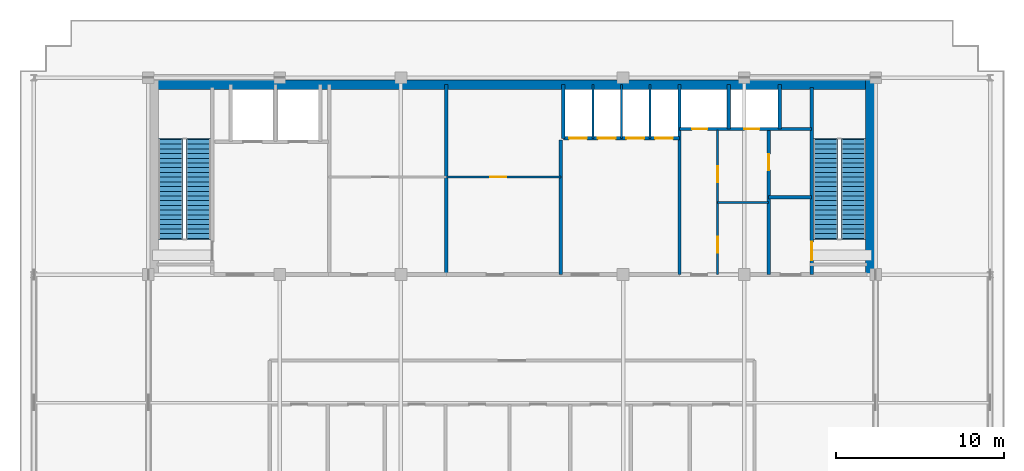
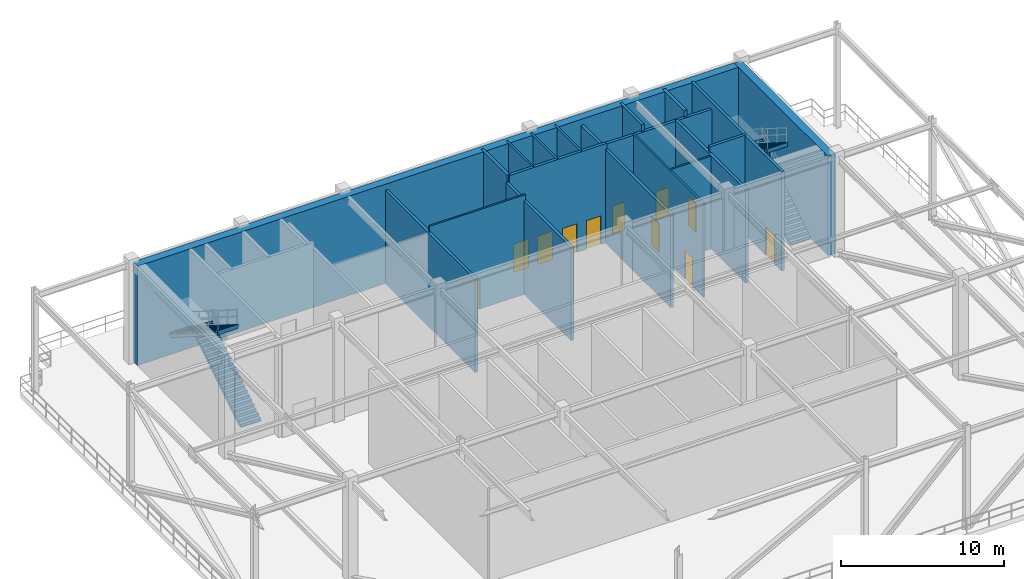
# One storey, part 11 of 15: 19 walls, 11 doors, 4 stair flights, 11 openings, 2 elements without a shape of their own.
"""IFC4 building model written with IfcOpenShell, lengths in metres."""

from ifc_helpers import new_model, si_unit, direction, frame, frame_2d, origin, place, context, subcontext, project, spatial, polyline, rectangle, outline, extrude, source, transform, mapped, material, layer, layer_set, type_object, element, fill, aggregate, save


model = new_model("IFC4")

# Units and contexts
model_context = context("Model", 3, precision=1e-05, world=origin(), true_north=direction((0.0, 1.0)))
body_context = subcontext(model_context, "Body", "Model", "MODEL_VIEW")
ifc_project = project(units=[si_unit("LENGTHUNIT", "METRE"), si_unit("AREAUNIT", "SQUARE_METRE"), si_unit("VOLUMEUNIT", "CUBIC_METRE"), si_unit("PLANEANGLEUNIT", "RADIAN"), si_unit("MASSUNIT", "GRAM", prefix="KILO")], contexts=[model_context])

# Site, building, storey
site_placement = place(None, origin())
site = spatial("IfcSite", under=ifc_project, at=site_placement, CompositionType="ELEMENT")
building_placement = place(site_placement, origin())
building = spatial("IfcBuilding", under=site, at=building_placement, Name="Trelvane Seafront Commons", CompositionType="ELEMENT")
storey_placement = place(building_placement, frame((0.0, 0.0, 240.89990234375)))
storey = spatial("IfcBuildingStorey", under=building, at=storey_placement, Name="L63", CompositionType="ELEMENT", Elevation=240.89990234375)

# Wall, opening, door
ifc_material_1 = material(Name="Concrete C40/50", Category="concrete")
ifc_layer_1 = layer(ifc_material_1, 0.199951171875, Name="ARCH-WALL-FIRE200")
ifc_layer_set_1 = layer_set([ifc_layer_1], Name="Concrete C40/50")
wall_type_1 = type_object("IfcWallType", Name="ARCH-WALL-FIRE200", PredefinedType="PARTITIONING", material=ifc_layer_set_1)
wall_1_placement = place(storey_placement, frame((52.449951171875, 33.39990234375, 0.0), z_axis=(0.0, 0.0, 1.0), x_axis=(0.0, 1.0, 0.0)))
wall_1 = element("IfcWall", 1, at=wall_1_placement, inside=storey, type_object=wall_type_1, Name="W-L63-ST2V-W-030", PredefinedType="PARTITIONING", context=body_context, shape_type="SweptSolid", body=[
    extrude(rectangle(XDim=8.650146484375, YDim=0.199951171875, at=frame_2d((4.3251953125, 0.0))), origin(), (0.0, 0.0, 1.0), 6.989990234375),
])
opening_1_placement = place(wall_1_placement, frame((6.199951171875, 0.0, 0.0)))
opening_1 = element("IfcOpeningElement", 2, at=opening_1_placement, cuts=wall_1, Name="Opening FD-L63-17", PredefinedType="OPENING", context=body_context, shape_type="SweptSolid", body=[
    extrude(rectangle(XDim=0.949951171875, YDim=2.14990234375, at=frame_2d((0.47509765625, 1.074951171875))), frame((0.0, 0.10986328125, 0.0), z_axis=(0.0, -1.0, 0.0), x_axis=(1.0, 0.0, 0.0)), (0.0, 0.0, 1.0), 0.219970703125),
])
ifc_material_2 = material(Name="Powder-coated aluminium frame", Category="aluminium")
door_type_1 = type_object("IfcDoorType", Name="ARCH-DR-FD60-950", OperationType="NOTDEFINED", PredefinedType="DOOR", material=ifc_material_2)
shared_shape_1 = source(origin(), body_context, "Body", "SweptSolid", [
    extrude(rectangle(XDim=0.949951171875, YDim=2.14990234375, at=frame_2d((0.47509765625, 1.074951171875))), frame((0.0, 0.02490234375, 0.0), z_axis=(0.0, -1.0, 0.0), x_axis=(1.0, 0.0, 0.0)), (0.0, 0.0, 1.0), 0.050048828125),
])
door_1_placement = place(opening_1_placement, origin())
door_1 = element("IfcDoor", 3, at=door_1_placement, inside=storey, type_object=door_type_1, Name="L63 Cleaner Store Door", OperationType="SINGLE_SWING_LEFT", OverallHeight=2.14990234375, OverallWidth=0.949951171875, PredefinedType="DOOR", context=body_context, shape_type="MappedRepresentation", body=[
    mapped(shared_shape_1, transform((0.0, 0.0, 0.0), x_axis=(1.0, 0.0, 0.0), y_axis=(0.0, 1.0, 0.0), z_axis=(0.0, 0.0, 1.0), scale=1.0)),
])
fill(opening_1, door_1)

# Wall
wall_2_placement = place(storey_placement, frame((52.449951171875, 38.0, 0.0), z_axis=(0.0, 0.0, 1.0), x_axis=(1.0, 0.0, 0.0)))
element("IfcWall", 4, at=wall_2_placement, inside=storey, type_object=wall_type_1, Name="W-L63-ST2V-N-031", PredefinedType="PARTITIONING", context=body_context, shape_type="SweptSolid", body=[
    extrude(rectangle(XDim=2.550048828125, YDim=0.199951171875, at=frame_2d((1.27490234375, 0.0))), origin(), (0.0, 0.0, 1.0), 7.440185546875),
])

# Wall, opening, door
ifc_material_3 = material(Name="Gypsum Drywall Acoustic Partition")
ifc_layer_2 = layer(ifc_material_3, 0.1201171875, Name="ARCH-WALL-PART120")
ifc_layer_set_2 = layer_set([ifc_layer_2], Name="Gypsum Drywall Acoustic Partition")
wall_type_2 = type_object("IfcWallType", Name="ARCH-WALL-PART120", PredefinedType="PARTITIONING", material=ifc_layer_set_2)
wall_3_placement = place(storey_placement, frame((33.300048828125, 39.199951171875, 0.0), z_axis=(0.0, 0.0, 1.0), x_axis=(1.0, 0.0, 0.0)))
wall_3 = element("IfcWall", 5, at=wall_3_placement, inside=storey, type_object=wall_type_2, Name="W-L63-FREED-PM-MID-016", PredefinedType="PARTITIONING", context=body_context, shape_type="SweptSolid", body=[
    extrude(rectangle(XDim=6.800048828125, YDim=0.1201171875, at=frame_2d((3.39990234375, 0.0))), origin(), (0.0, 0.0, 1.0), 7.440185546875),
])
opening_2_placement = place(wall_3_placement, frame((2.60009765625, 0.0, 0.0)))
opening_2 = element("IfcOpeningElement", 6, at=opening_2_placement, cuts=wall_3, Name="Opening D-L63-07", PredefinedType="OPENING", context=body_context, shape_type="SweptSolid", body=[
    extrude(rectangle(XDim=0.949951171875, YDim=2.14990234375, at=frame_2d((0.47509765625, 1.074951171875))), frame((0.0, 0.070068359375, 0.0), z_axis=(0.0, -1.0, 0.0), x_axis=(1.0, 0.0, 0.0)), (0.0, 0.0, 1.0), 0.14013671875),
])
ifc_material_4 = material(Name="Acoustic timber door leaf", Category="wood")
door_type_2 = type_object("IfcDoorType", Name="ARCH-DR-INT950", OperationType="NOTDEFINED", PredefinedType="DOOR", material=ifc_material_4)
door_2_placement = place(opening_2_placement, origin())
door_2 = element("IfcDoor", 7, at=door_2_placement, inside=storey, type_object=door_type_2, Name="L63 IT Comms Room Door", OperationType="SINGLE_SWING_LEFT", OverallHeight=2.14990234375, OverallWidth=0.949951171875, PredefinedType="DOOR", context=body_context, shape_type="MappedRepresentation", body=[
    mapped(shared_shape_1, transform((0.0, 0.0, 0.0), x_axis=(1.0, 0.0, 0.0), y_axis=(0.0, 1.0, 0.0), z_axis=(0.0, 0.0, 1.0), scale=1.0)),
])
fill(opening_2, door_2)

# Walls
for number, where, z_axis, x_axis, name in (
    (8, (42.0, 41.5, 0.0), (0.0, 0.0, 1.0), (0.0, 1.0, 0.0), "W-L63-PH-DIV1-020"),
    (9, (43.699951171875, 41.5, 0.0), (0.0, 0.0, 1.0), (0.0, 1.0, 0.0), "W-L63-PH-DIV2-021"),
    (10, (45.39990234375, 41.5, 0.0), (0.0, 0.0, 1.0), (0.0, 1.0, 0.0), "W-L63-PH-DIV3-022"),
):
    element("IfcWall", number, at=place(storey_placement, frame(where, z_axis=z_axis, x_axis=x_axis)), inside=storey, type_object=wall_type_2, Name=name, PredefinedType="PARTITIONING", context=body_context, shape_type="SweptSolid", body=[
        extrude(rectangle(XDim=3.199951171875, YDim=0.1201171875, at=frame_2d((1.60009765625, 0.0))), origin(), (0.0, 0.0, 1.0), 7.440185546875),
    ])

# Wall, openings, doors
wall_4_placement = place(storey_placement, frame((49.419921875, 33.39990234375, 0.0), z_axis=(0.0, 0.0, 1.0), x_axis=(0.0, 1.0, 0.0)))
wall_4 = element("IfcWall", 11, at=wall_4_placement, inside=storey, type_object=wall_type_2, Name="W-L63-CYC0-V-032", PredefinedType="PARTITIONING", context=body_context, shape_type="SweptSolid", body=[
    extrude(rectangle(XDim=8.60009765625, YDim=0.1201171875, at=frame_2d((4.300048828125, 0.0))), origin(), (0.0, 0.0, 1.0), 6.989990234375),
])
opening_3_placement = place(wall_4_placement, frame((1.300048828125, 0.0, 0.0)))
opening_3 = element("IfcOpeningElement", 12, at=opening_3_placement, cuts=wall_4, Name="Opening D-L63-18", PredefinedType="OPENING", context=body_context, shape_type="SweptSolid", body=[
    extrude(rectangle(XDim=0.949951171875, YDim=2.14990234375, at=frame_2d((0.47509765625, 1.074951171875))), frame((0.0, 0.070068359375, 0.0), z_axis=(0.0, -1.0, 0.0), x_axis=(1.0, 0.0, 0.0)), (0.0, 0.0, 1.0), 0.14013671875),
])
opening_4_placement = place(wall_4_placement, frame((5.5, 0.0, 0.0)))
opening_4 = element("IfcOpeningElement", 13, at=opening_4_placement, cuts=wall_4, Name="Opening D-L63-19", PredefinedType="OPENING", context=body_context, shape_type="SweptSolid", body=[
    extrude(rectangle(XDim=0.949951171875, YDim=2.14990234375, at=frame_2d((0.47509765625, 1.074951171875))), frame((0.0, 0.070068359375, 0.0), z_axis=(0.0, -1.0, 0.0), x_axis=(1.0, 0.0, 0.0)), (0.0, 0.0, 1.0), 0.14013671875),
])
door_3_placement = place(opening_3_placement, origin())
door_3 = element("IfcDoor", 14, at=door_3_placement, inside=storey, type_object=door_type_2, Name="L63 Accessible WC Door", OperationType="SINGLE_SWING_RIGHT", OverallHeight=2.14990234375, OverallWidth=0.949951171875, PredefinedType="DOOR", context=body_context, shape_type="MappedRepresentation", body=[
    mapped(shared_shape_1, transform((0.0, 0.0, 0.0), x_axis=(1.0, 0.0, 0.0), y_axis=(0.0, 1.0, 0.0), z_axis=(0.0, 0.0, 1.0), scale=1.0)),
])
fill(opening_3, door_3)
door_4_placement = place(opening_4_placement, origin())
door_4 = element("IfcDoor", 15, at=door_4_placement, inside=storey, type_object=door_type_2, Name="L63 Common WC Door", OperationType="SINGLE_SWING_LEFT", OverallHeight=2.14990234375, OverallWidth=0.949951171875, PredefinedType="DOOR", context=body_context, shape_type="MappedRepresentation", body=[
    mapped(shared_shape_1, transform((0.0, 0.0, 0.0), x_axis=(1.0, 0.0, 0.0), y_axis=(0.0, 1.0, 0.0), z_axis=(0.0, 0.0, 1.0), scale=1.0)),
])
fill(opening_4, door_4)

# Walls
wall_5_placement = place(storey_placement, frame((49.419921875, 37.679931640625, 0.0), z_axis=(0.0, 0.0, 1.0), x_axis=(1.0, 0.0, 0.0)))
element("IfcWall", 16, at=wall_5_placement, inside=storey, type_object=wall_type_2, Name="W-L63-CYC0-H-033", PredefinedType="PARTITIONING", context=body_context, shape_type="SweptSolid", body=[
    extrude(rectangle(XDim=3.030029296875, YDim=0.1201171875, at=frame_2d((1.51513671875, 0.0))), origin(), (0.0, 0.0, 1.0), 6.940185546875),
])
ifc_layer_3 = layer(ifc_material_1, 0.199951171875, Name="ARCH-WALL-SHAFT200")
ifc_layer_set_3 = layer_set([ifc_layer_3], Name="Concrete C40/50")
wall_type_3 = type_object("IfcWallType", Name="ARCH-WALL-SHAFT200", PredefinedType="SOLIDWALL", material=ifc_layer_set_3)
wall_6_placement = place(storey_placement, frame((33.300048828125, 33.39990234375, 0.0), z_axis=(0.0, 0.0, 1.0), x_axis=(0.0, 1.0, 0.0)))
element("IfcWall", 17, at=wall_6_placement, inside=storey, type_object=wall_type_3, Name="W-L63-FREED-PL-E-015", PredefinedType="SOLIDWALL", context=body_context, shape_type="SweptSolid", body=[
    extrude(rectangle(XDim=11.300048828125, YDim=0.199951171875, at=frame_2d((5.64990234375, 0.0))), origin(), (0.0, 0.0, 1.0), 6.989990234375),
])
wall_7_placement = place(storey_placement, frame((40.10009765625, 33.39990234375, 0.0), z_axis=(0.0, 0.0, 1.0), x_axis=(0.0, 1.0, 0.0)))
element("IfcWall", 18, at=wall_7_placement, inside=storey, type_object=wall_type_3, Name="W-L63-FREED-PM-E-017", PredefinedType="SOLIDWALL", context=body_context, shape_type="SweptSolid", body=[
    extrude(rectangle(XDim=8.0, YDim=0.199951171875, at=frame_2d((4.0, 0.0))), origin(), (0.0, 0.0, 1.0), 6.989990234375),
])

# Wall, openings, doors
wall_8_placement = place(storey_placement, frame((40.25, 41.5, 0.0), z_axis=(0.0, 0.0, 1.0), x_axis=(1.0, 0.0, 0.0)))
wall_8 = element("IfcWall", 19, at=wall_8_placement, inside=storey, type_object=wall_type_3, Name="W-L63-PH-FRONT-018", PredefinedType="SOLIDWALL", context=body_context, shape_type="SweptSolid", body=[
    extrude(rectangle(XDim=6.89990234375, YDim=0.199951171875, at=frame_2d((3.449951171875, 0.0))), origin(), (0.0, 0.0, 1.0), 7.440185546875),
])
opening_5_placement = place(wall_8_placement, frame((0.35009765625, 0.0, 0.0)))
opening_5 = element("IfcOpeningElement", 20, at=opening_5_placement, cuts=wall_8, Name="Opening LD-PH1-L63", PredefinedType="OPENING", context=body_context, shape_type="SweptSolid", body=[
    extrude(rectangle(XDim=1.050048828125, YDim=2.14990234375, at=frame_2d((0.52490234375, 1.074951171875))), frame((0.0, 0.10986328125, 0.0), z_axis=(0.0, -1.0, 0.0), x_axis=(1.0, 0.0, 0.0)), (0.0, 0.0, 1.0), 0.219970703125),
])
opening_6_placement = place(wall_8_placement, frame((2.050048828125, 0.0, 0.0)))
opening_6 = element("IfcOpeningElement", 21, at=opening_6_placement, cuts=wall_8, Name="Opening LD-PH2-L63", PredefinedType="OPENING", context=body_context, shape_type="SweptSolid", body=[
    extrude(rectangle(XDim=1.050048828125, YDim=2.14990234375, at=frame_2d((0.52490234375, 1.074951171875))), frame((0.0, 0.10986328125, 0.0), z_axis=(0.0, -1.0, 0.0), x_axis=(1.0, 0.0, 0.0)), (0.0, 0.0, 1.0), 0.219970703125),
])
opening_7_placement = place(wall_8_placement, frame((3.75, 0.0, 0.0)))
opening_7 = element("IfcOpeningElement", 22, at=opening_7_placement, cuts=wall_8, Name="Opening LD-PH3-L63", PredefinedType="OPENING", context=body_context, shape_type="SweptSolid", body=[
    extrude(rectangle(XDim=1.050048828125, YDim=2.14990234375, at=frame_2d((0.52490234375, 1.074951171875))), frame((0.0, 0.10986328125, 0.0), z_axis=(0.0, -1.0, 0.0), x_axis=(1.0, 0.0, 0.0)), (0.0, 0.0, 1.0), 0.219970703125),
])
opening_8_placement = place(wall_8_placement, frame((5.449951171875, 0.0, 0.0)))
opening_8 = element("IfcOpeningElement", 23, at=opening_8_placement, cuts=wall_8, Name="Opening LD-PH4-L63", PredefinedType="OPENING", context=body_context, shape_type="SweptSolid", body=[
    extrude(rectangle(XDim=1.050048828125, YDim=2.14990234375, at=frame_2d((0.52490234375, 1.074951171875))), frame((0.0, 0.10986328125, 0.0), z_axis=(0.0, -1.0, 0.0), x_axis=(1.0, 0.0, 0.0)), (0.0, 0.0, 1.0), 0.219970703125),
])
ifc_material_5 = material(Name="Stainless steel balustrade", Category="steel")
door_type_3 = type_object("IfcDoorType", Name="ARCH-DR-LD1050", OperationType="DOUBLE_DOOR_SLIDING", PredefinedType="DOOR", material=ifc_material_5)
shared_shape_2 = source(origin(), body_context, "Body", "SweptSolid", [
    extrude(rectangle(XDim=1.050048828125, YDim=2.14990234375, at=frame_2d((0.52490234375, 1.074951171875))), frame((0.0, 0.02490234375, 0.0), z_axis=(0.0, -1.0, 0.0), x_axis=(1.0, 0.0, 0.0)), (0.0, 0.0, 1.0), 0.050048828125),
])
door_5_placement = place(opening_5_placement, origin())
door_5 = element("IfcDoor", 24, at=door_5_placement, inside=storey, type_object=door_type_3, Name="L63 Passenger Lift PH-1 Landing Door", OperationType="DOUBLE_DOOR_SLIDING", OverallHeight=2.14990234375, OverallWidth=1.050048828125, PredefinedType="DOOR", context=body_context, shape_type="MappedRepresentation", body=[
    mapped(shared_shape_2, transform((0.0, 0.0, 0.0), x_axis=(1.0, 0.0, 0.0), y_axis=(0.0, 1.0, 0.0), z_axis=(0.0, 0.0, 1.0), scale=1.0)),
])
fill(opening_5, door_5)
door_6_placement = place(opening_6_placement, origin())
door_6 = element("IfcDoor", 25, at=door_6_placement, inside=storey, type_object=door_type_3, Name="L63 Passenger Lift PH-2 Landing Door", OperationType="DOUBLE_DOOR_SLIDING", OverallHeight=2.14990234375, OverallWidth=1.050048828125, PredefinedType="DOOR", context=body_context, shape_type="MappedRepresentation", body=[
    mapped(shared_shape_2, transform((0.0, 0.0, 0.0), x_axis=(1.0, 0.0, 0.0), y_axis=(0.0, 1.0, 0.0), z_axis=(0.0, 0.0, 1.0), scale=1.0)),
])
fill(opening_6, door_6)
door_7_placement = place(opening_7_placement, origin())
door_7 = element("IfcDoor", 26, at=door_7_placement, inside=storey, type_object=door_type_3, Name="L63 Passenger Lift PH-3 Landing Door", OperationType="DOUBLE_DOOR_SLIDING", OverallHeight=2.14990234375, OverallWidth=1.050048828125, PredefinedType="DOOR", context=body_context, shape_type="MappedRepresentation", body=[
    mapped(shared_shape_2, transform((0.0, 0.0, 0.0), x_axis=(1.0, 0.0, 0.0), y_axis=(0.0, 1.0, 0.0), z_axis=(0.0, 0.0, 1.0), scale=1.0)),
])
fill(opening_7, door_7)
door_8_placement = place(opening_8_placement, origin())
door_8 = element("IfcDoor", 27, at=door_8_placement, inside=storey, type_object=door_type_3, Name="L63 Passenger Lift PH-4 Landing Door", OperationType="DOUBLE_DOOR_SLIDING", OverallHeight=2.14990234375, OverallWidth=1.050048828125, PredefinedType="DOOR", context=body_context, shape_type="MappedRepresentation", body=[
    mapped(shared_shape_2, transform((0.0, 0.0, 0.0), x_axis=(1.0, 0.0, 0.0), y_axis=(0.0, 1.0, 0.0), z_axis=(0.0, 0.0, 1.0), scale=1.0)),
])
fill(opening_8, door_8)

# Walls
wall_9_placement = place(storey_placement, frame((40.25, 41.5, 0.0), z_axis=(0.0, 0.0, 1.0), x_axis=(0.0, 1.0, 0.0)))
element("IfcWall", 28, at=wall_9_placement, inside=storey, type_object=wall_type_3, Name="W-L63-PH-WEST-SH-019", PredefinedType="SOLIDWALL", context=body_context, shape_type="SweptSolid", body=[
    extrude(rectangle(XDim=3.199951171875, YDim=0.199951171875, at=frame_2d((1.60009765625, 0.0))), origin(), (0.0, 0.0, 1.0), 7.440185546875),
])
wall_10_placement = place(storey_placement, frame((47.14990234375, 33.39990234375, 0.0), z_axis=(0.0, 0.0, 1.0), x_axis=(0.0, 1.0, 0.0)))
element("IfcWall", 29, at=wall_10_placement, inside=storey, type_object=wall_type_3, Name="W-L63-PH-EAST-023", PredefinedType="SOLIDWALL", context=body_context, shape_type="SweptSolid", body=[
    extrude(rectangle(XDim=11.300048828125, YDim=0.199951171875, at=frame_2d((5.64990234375, 0.0))), origin(), (0.0, 0.0, 1.0), 6.989990234375),
])

# Wall, openings, doors
wall_11_placement = place(storey_placement, frame((47.14990234375, 42.050048828125, 0.0), z_axis=(0.0, 0.0, 1.0), x_axis=(1.0, 0.0, 0.0)))
wall_11 = element("IfcWall", 30, at=wall_11_placement, inside=storey, type_object=wall_type_3, Name="W-L63-RSR-S-027", PredefinedType="SOLIDWALL", context=body_context, shape_type="SweptSolid", body=[
    extrude(rectangle(XDim=7.85009765625, YDim=0.199951171875, at=frame_2d((3.925048828125, 0.0))), origin(), (0.0, 0.0, 1.0), 6.940185546875),
])
opening_9_placement = place(wall_11_placement, frame((0.75, 0.0, 0.0)))
opening_9 = element("IfcOpeningElement", 31, at=opening_9_placement, cuts=wall_11, Name="Opening FD-L63-15", PredefinedType="OPENING", context=body_context, shape_type="SweptSolid", body=[
    extrude(rectangle(XDim=0.89990234375, YDim=2.10009765625, at=frame_2d((0.449951171875, 1.050048828125))), frame((0.0, 0.10986328125, 0.0), z_axis=(0.0, -1.0, 0.0), x_axis=(1.0, 0.0, 0.0)), (0.0, 0.0, 1.0), 0.219970703125),
])
opening_10_placement = place(wall_11_placement, frame((3.85009765625, 0.0, 0.0)))
opening_10 = element("IfcOpeningElement", 32, at=opening_10_placement, cuts=wall_11, Name="Opening FD-L63-16", PredefinedType="OPENING", context=body_context, shape_type="SweptSolid", body=[
    extrude(rectangle(XDim=0.89990234375, YDim=2.10009765625, at=frame_2d((0.449951171875, 1.050048828125))), frame((0.0, 0.10986328125, 0.0), z_axis=(0.0, -1.0, 0.0), x_axis=(1.0, 0.0, 0.0)), (0.0, 0.0, 1.0), 0.219970703125),
])
door_type_4 = type_object("IfcDoorType", Name="ARCH-DR-FD60-900", OperationType="NOTDEFINED", PredefinedType="DOOR", material=ifc_material_2)
shared_shape_3 = source(origin(), body_context, "Body", "SweptSolid", [
    extrude(rectangle(XDim=0.89990234375, YDim=2.10009765625, at=frame_2d((0.449951171875, 1.050048828125))), frame((0.0, 0.02490234375, 0.0), z_axis=(0.0, -1.0, 0.0), x_axis=(1.0, 0.0, 0.0)), (0.0, 0.0, 1.0), 0.050048828125),
])
door_9_placement = place(opening_9_placement, origin())
door_9 = element("IfcDoor", 33, at=door_9_placement, inside=storey, type_object=door_type_4, Name="L63 Electrical Riser Access Door", OperationType="SINGLE_SWING_LEFT", OverallHeight=2.10009765625, OverallWidth=0.89990234375, PredefinedType="DOOR", context=body_context, shape_type="MappedRepresentation", body=[
    mapped(shared_shape_3, transform((0.0, 0.0, 0.0), x_axis=(1.0, 0.0, 0.0), y_axis=(0.0, 1.0, 0.0), z_axis=(0.0, 0.0, 1.0), scale=1.0)),
])
fill(opening_9, door_9)
door_10_placement = place(opening_10_placement, origin())
door_10 = element("IfcDoor", 34, at=door_10_placement, inside=storey, type_object=door_type_4, Name="L63 Mechanical Riser Access Door", OperationType="SINGLE_SWING_RIGHT", OverallHeight=2.10009765625, OverallWidth=0.89990234375, PredefinedType="DOOR", context=body_context, shape_type="MappedRepresentation", body=[
    mapped(shared_shape_3, transform((0.0, 0.0, 0.0), x_axis=(1.0, 0.0, 0.0), y_axis=(0.0, 1.0, 0.0), z_axis=(0.0, 0.0, 1.0), scale=1.0)),
])
fill(opening_10, door_10)

# Walls
for number, where, z_axis, x_axis, name in (
    (35, (50.080078125, 42.050048828125, 0.0), (0.0, 0.0, 1.0), (0.0, 1.0, 0.0), "W-L63-RSR-DIV-028"),
    (36, (53.10009765625, 42.050048828125, 0.0), (0.0, 0.0, 1.0), (0.0, 1.0, 0.0), "W-L63-RSR-E-029"),
):
    element("IfcWall", number, at=place(storey_placement, frame(where, z_axis=z_axis, x_axis=x_axis)), inside=storey, type_object=wall_type_3, Name=name, PredefinedType="SOLIDWALL", context=body_context, shape_type="SweptSolid", body=[
        extrude(rectangle(XDim=2.64990234375, YDim=0.199951171875, at=frame_2d((1.324951171875, 0.0))), origin(), (0.0, 0.0, 1.0), 7.440185546875),
    ])
ifc_material_6 = material(Name="Concrete C50/60", Category="concrete")
ifc_layer_4 = layer(ifc_material_6, 0.550048828125, Name="STR-WALL-CORE550")
ifc_layer_set_4 = layer_set([ifc_layer_4], Name="Concrete C50/60")
wall_type_4 = type_object("IfcWallType", Name="STR-WALL-CORE550", PredefinedType="SHEAR", material=ifc_layer_set_4)
wall_12_placement = place(storey_placement, frame((15.64990234375, 44.675048828125, 0.0), z_axis=(0.0, 0.0, 1.0), x_axis=(1.0, 0.0, 0.0)))
element("IfcWall", 37, at=wall_12_placement, inside=storey, type_object=wall_type_4, Name="W-L63-CN-ALL-001", PredefinedType="SHEAR", context=body_context, shape_type="SweptSolid", body=[
    extrude(rectangle(XDim=43.10009765625, YDim=0.550048828125, at=frame_2d((21.550048828125, 0.0))), origin(), (0.0, 0.0, 1.0), 7.440185546875),
])
wall_13_placement = place(storey_placement, frame((58.47509765625, 33.39990234375, 0.0), z_axis=(0.0, 0.0, 1.0), x_axis=(0.0, 1.0, 0.0)))
element("IfcWall", 38, at=wall_13_placement, inside=storey, type_object=wall_type_4, Name="W-L63-CE-END-003", PredefinedType="SHEAR", context=body_context, shape_type="SweptSolid", body=[
    extrude(rectangle(XDim=11.550048828125, YDim=0.550048828125, at=frame_2d((5.77490234375, 0.0))), origin(), (0.0, 0.0, 1.0), 7.440185546875),
])

# Wall, opening, door
ifc_layer_5 = layer(ifc_material_6, 0.199951171875, Name="STR-WALL-STAIR200")
ifc_layer_set_5 = layer_set([ifc_layer_5], Name="Concrete C50/60")
wall_type_5 = type_object("IfcWallType", Name="STR-WALL-STAIR200", PredefinedType="SHEAR", material=ifc_layer_set_5)
wall_14_placement = place(storey_placement, frame((55.0, 33.39990234375, 0.0), z_axis=(0.0, 0.0, 1.0), x_axis=(0.0, 1.0, 0.0)))
wall_14 = element("IfcWall", 39, at=wall_14_placement, inside=storey, type_object=wall_type_5, Name="W-L63-ST2-W-007", PredefinedType="SHEAR", context=body_context, shape_type="SweptSolid", body=[
    extrude(rectangle(XDim=11.10009765625, YDim=0.199951171875, at=frame_2d((5.550048828125, 0.0))), origin(), (0.0, 0.0, 1.0), 7.440185546875),
])
opening_11_placement = place(wall_14_placement, frame((0.85009765625, 0.0, 0.0)))
opening_11 = element("IfcOpeningElement", 40, at=opening_11_placement, cuts=wall_14, Name="Opening ST-D2-L63", PredefinedType="OPENING", context=body_context, shape_type="SweptSolid", body=[
    extrude(rectangle(XDim=1.10009765625, YDim=2.14990234375, at=frame_2d((0.550048828125, 1.074951171875))), frame((0.0, 0.10986328125, 0.0), z_axis=(0.0, -1.0, 0.0), x_axis=(1.0, 0.0, 0.0)), (0.0, 0.0, 1.0), 0.219970703125),
])
door_type_5 = type_object("IfcDoorType", Name="ARCH-DR-FD90-1100", OperationType="NOTDEFINED", PredefinedType="DOOR", material=ifc_material_2)
shared_shape_4 = source(origin(), body_context, "Body", "SweptSolid", [
    extrude(rectangle(XDim=1.10009765625, YDim=2.14990234375, at=frame_2d((0.550048828125, 1.074951171875))), frame((0.0, 0.02490234375, 0.0), z_axis=(0.0, -1.0, 0.0), x_axis=(1.0, 0.0, 0.0)), (0.0, 0.0, 1.0), 0.050048828125),
])
door_11_placement = place(opening_11_placement, origin())
door_11 = element("IfcDoor", 41, at=door_11_placement, inside=storey, type_object=door_type_5, Name="L63 Stair ST-2 Vestibule Fire Door", OperationType="SINGLE_SWING_RIGHT", OverallHeight=2.14990234375, OverallWidth=1.10009765625, PredefinedType="DOOR", context=body_context, shape_type="MappedRepresentation", body=[
    mapped(shared_shape_4, transform((0.0, 0.0, 0.0), x_axis=(1.0, 0.0, 0.0), y_axis=(0.0, 1.0, 0.0), z_axis=(0.0, 0.0, 1.0), scale=1.0)),
])
fill(opening_11, door_11)

# Stair, stair flights
stair_type_1 = type_object("IfcStairType", Name="ARCH-STR-ST-1-R44-177", PredefinedType="HALF_TURN_STAIR", material=ifc_material_1)
stair_1_placement = place(storey_placement, origin())
stair_1 = element("IfcStair", 42, at=stair_1_placement, inside=storey, type_object=stair_type_1, Name="L63 West Protected Firefighting Exit Stair ST-1", PredefinedType="HALF_TURN_STAIR")
stair_flight_type_1 = type_object("IfcStairFlightType", Name="ARCH-FLG-ST-1-R44-177", PredefinedType="STRAIGHT", material=ifc_material_1)
shared_shape_5 = source(origin(), body_context, "Body", "SweptSolid", [
    extrude(outline(polyline([(-0.050048828125, -0.02001953125), (-0.050048828125, 0.0), (0.0, 0.0), (0.0, 0.17724609375), (0.280029296875, 0.17724609375), (0.280029296875, 0.3544921875), (0.56005859375, 0.3544921875), (0.56005859375, 0.53173828125), (0.840087890625, 0.53173828125), (0.840087890625, 0.708984375), (1.1201171875, 0.708984375), (1.1201171875, 0.886474609375), (1.39990234375, 0.886474609375), (1.39990234375, 1.063720703125), (1.679931640625, 1.063720703125), (1.679931640625, 1.240966796875), (1.9599609375, 1.240966796875), (1.9599609375, 1.418212890625), (2.239990234375, 1.418212890625), (2.239990234375, 1.595458984375), (2.52001953125, 1.595458984375), (2.52001953125, 1.772705078125), (2.800048828125, 1.772705078125), (2.800048828125, 1.949951171875), (3.080078125, 1.949951171875), (3.080078125, 2.127197265625), (3.360107421875, 2.127197265625), (3.360107421875, 2.304443359375), (3.639892578125, 2.304443359375), (3.639892578125, 2.48193359375), (3.919921875, 2.48193359375), (3.919921875, 2.6591796875), (4.199951171875, 2.6591796875), (4.199951171875, 2.83642578125), (4.47998046875, 2.83642578125), (4.47998046875, 3.013671875), (4.760009765625, 3.013671875), (4.760009765625, 3.19091796875), (5.0400390625, 3.19091796875), (5.0400390625, 3.3681640625), (5.320068359375, 3.3681640625), (5.320068359375, 3.54541015625), (5.60009765625, 3.54541015625), (5.60009765625, 3.72265625), (5.8798828125, 3.72265625), (5.8798828125, 3.89990234375), (5.929931640625, 3.89990234375), (5.929931640625, 3.75), (5.8798828125, 3.54541015625), (0.2802734375, -0.02001953125), (-0.050048828125, -0.02001953125)])), frame((0.0, 0.72509765625, 0.0), z_axis=(0.0, -1.0, 0.0), x_axis=(1.0, 0.0, 0.0)), (0.0, 0.0, 1.0), 1.449951171875),
])
stair_flight_1_placement = place(storey_placement, frame((18.574951171875, 35.550048828125, 0.0), z_axis=(0.0, 0.0, 1.0), x_axis=(0.0, 1.0, 0.0)))
stair_flight_1 = element("IfcStairFlight", 43, at=stair_flight_1_placement, type_object=stair_flight_type_1, Name="ST-1 flight 1", NumberOfRisers=22, NumberOfTreads=21, PredefinedType="STRAIGHT", RiserHeight=0.177272727, TreadLength=0.28, context=body_context, shape_type="MappedRepresentation", body=[
    mapped(shared_shape_5, transform((0.0, 0.0, 0.0), x_axis=(1.0, 0.0, 0.0), y_axis=(0.0, 1.0, 0.0), z_axis=(0.0, 0.0, 1.0), scale=1.0)),
])
stair_flight_2_placement = place(storey_placement, frame((16.925048828125, 41.429931640625, 3.900146484375), z_axis=(0.0, 0.0, 1.0), x_axis=(0.0, -1.0, 0.0)))
stair_flight_2 = element("IfcStairFlight", 44, at=stair_flight_2_placement, type_object=stair_flight_type_1, Name="ST-1 flight 2", NumberOfRisers=22, NumberOfTreads=21, PredefinedType="STRAIGHT", RiserHeight=0.177272727, TreadLength=0.28, context=body_context, shape_type="MappedRepresentation", body=[
    mapped(shared_shape_5, transform((0.0, 0.0, 0.0), x_axis=(1.0, 0.0, 0.0), y_axis=(0.0, 1.0, 0.0), z_axis=(0.0, 0.0, 1.0), scale=1.0)),
])
aggregate(stair_1, [stair_flight_1, stair_flight_2])

stair_type_2 = type_object("IfcStairType", Name="ARCH-STR-ST-2-R44-177", PredefinedType="HALF_TURN_STAIR", material=ifc_material_1)
stair_2_placement = place(storey_placement, origin())
stair_2 = element("IfcStair", 45, at=stair_2_placement, inside=storey, type_object=stair_type_2, Name="L63 East Protected Firefighting Exit Stair ST-2", PredefinedType="HALF_TURN_STAIR")
stair_flight_type_2 = type_object("IfcStairFlightType", Name="ARCH-FLG-ST-2-R44-177", PredefinedType="STRAIGHT", material=ifc_material_1)
stair_flight_3_placement = place(storey_placement, frame((57.47509765625, 35.550048828125, 0.0), z_axis=(0.0, 0.0, 1.0), x_axis=(0.0, 1.0, 0.0)))
stair_flight_3 = element("IfcStairFlight", 46, at=stair_flight_3_placement, type_object=stair_flight_type_2, Name="ST-2 flight 1", NumberOfRisers=22, NumberOfTreads=21, PredefinedType="STRAIGHT", RiserHeight=0.177272727, TreadLength=0.28, context=body_context, shape_type="MappedRepresentation", body=[
    mapped(shared_shape_5, transform((0.0, 0.0, 0.0), x_axis=(1.0, 0.0, 0.0), y_axis=(0.0, 1.0, 0.0), z_axis=(0.0, 0.0, 1.0), scale=1.0)),
])
stair_flight_4_placement = place(storey_placement, frame((55.824951171875, 41.429931640625, 3.900146484375), z_axis=(0.0, 0.0, 1.0), x_axis=(0.0, -1.0, 0.0)))
stair_flight_4 = element("IfcStairFlight", 47, at=stair_flight_4_placement, type_object=stair_flight_type_2, Name="ST-2 flight 2", NumberOfRisers=22, NumberOfTreads=21, PredefinedType="STRAIGHT", RiserHeight=0.177272727, TreadLength=0.28, context=body_context, shape_type="MappedRepresentation", body=[
    mapped(shared_shape_5, transform((0.0, 0.0, 0.0), x_axis=(1.0, 0.0, 0.0), y_axis=(0.0, 1.0, 0.0), z_axis=(0.0, 0.0, 1.0), scale=1.0)),
])
aggregate(stair_2, [stair_flight_3, stair_flight_4])

save(model, "model.ifc")
